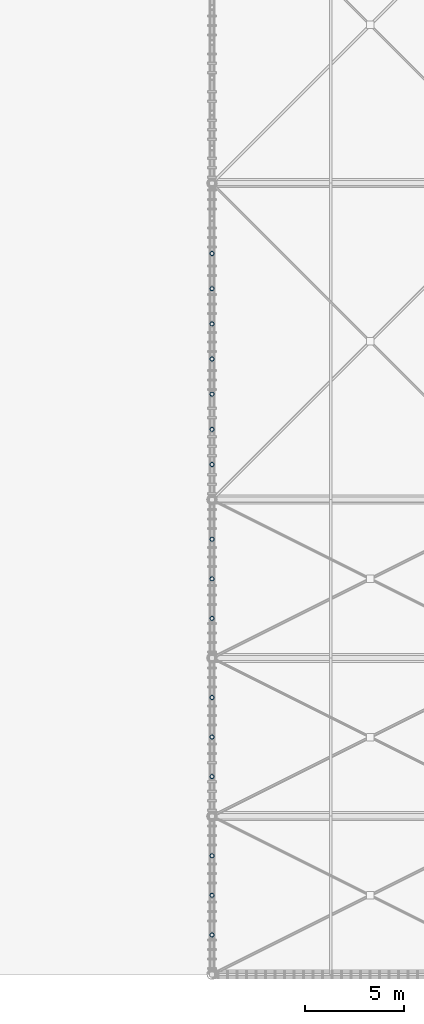
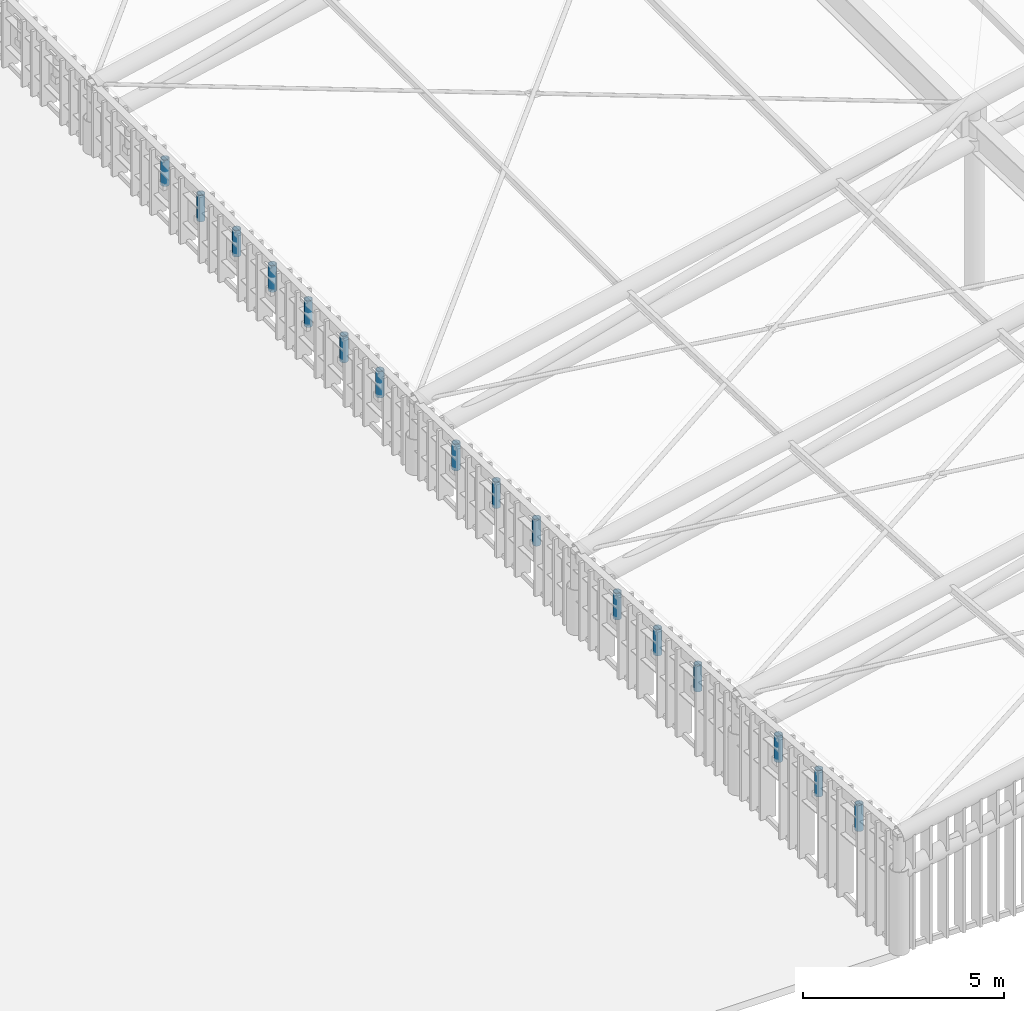
# One storey, part 14 of 25: 16 members.
"""IFC4 building model written with IfcOpenShell, lengths in metres."""

from ifc_helpers import new_model, si_unit, direction, frame, origin, origin_2d, place, context, subcontext, project, spatial, hollow_circle, extrude, material, material_profile, profile_set, type_object, element, save


model = new_model("IFC4")

# Units and contexts
model_context = context("Model", 3, precision=1e-05, world=origin(), true_north=direction((0.0, 1.0)))
body_context = subcontext(model_context, "Body", "Model", "MODEL_VIEW")
ifc_project = project(units=[si_unit("LENGTHUNIT", "METRE"), si_unit("AREAUNIT", "SQUARE_METRE"), si_unit("VOLUMEUNIT", "CUBIC_METRE"), si_unit("PLANEANGLEUNIT", "RADIAN"), si_unit("MASSUNIT", "GRAM", prefix="KILO")], contexts=[model_context])

# Site, building, storey
site_placement = place(None, origin())
site = spatial("IfcSite", under=ifc_project, at=site_placement, CompositionType="ELEMENT")
building_placement = place(site_placement, origin())
building = spatial("IfcBuilding", under=site, at=building_placement, Name="Haebicheon Civic Stadium", CompositionType="ELEMENT")
storey_placement = place(building_placement, frame((0.0, 0.0, 31.199951171875)))
storey = spatial("IfcBuildingStorey", under=building, at=storey_placement, Name="RF", CompositionType="ELEMENT", Elevation=31.199951171875)

# Members
ifc_material = material(Name="White painted steel SM490", Category="steel")
ifc_material_profile = material_profile(ifc_material, hollow_circle(Radius=0.109619140625, WallThickness=0.01611328125, at=origin_2d()), Name="CHS-219.1x16.0")
ifc_profile_set = profile_set([ifc_material_profile], Name="White painted steel SM490")
member_type = type_object("IfcMemberType", Name="HRD-CHS219", PredefinedType="USERDEFINED", material=ifc_profile_set)
member_1_placement = place(storey_placement, frame((48.0, 50.0, 2.4521484375), z_axis=(0.0, 0.0, 1.0), x_axis=(1.0, 0.0, 0.0)))
element("IfcMember", 1, at=member_1_placement, inside=storey, type_object=member_type, material=ifc_profile_set, Name="CAN-WEST white vertical suspension rod 1.1", ObjectType="HANGER ROD", PredefinedType="USERDEFINED", context=body_context, shape_type="SweptSolid", body=[
    extrude(hollow_circle(Radius=0.109619140625, WallThickness=0.01611328125, at=origin_2d()), origin(), (0.0, 0.0, 1.0), 0.7998046875),
])
for number, where, z_axis, x_axis, name in (
    (2, (48.0, 52.0, 2.283935546875), (0.0, 0.0, 1.0), (1.0, 0.0, 0.0), "CAN-WEST white vertical suspension rod 1.2"),
    (3, (48.0, 54.0, 2.115966796875), (0.0, 0.0, 1.0), (1.0, 0.0, 0.0), "CAN-WEST white vertical suspension rod 1.3"),
):
    element("IfcMember", number, at=place(storey_placement, frame(where, z_axis=z_axis, x_axis=x_axis)), inside=storey, type_object=member_type, material=ifc_profile_set, Name=name, ObjectType="HANGER ROD", PredefinedType="USERDEFINED", context=body_context, shape_type="SweptSolid", body=[
        extrude(hollow_circle(Radius=0.109619140625, WallThickness=0.01611328125, at=origin_2d()), origin(), (0.0, 0.0, 1.0), 0.800048828125),
    ])
member_2_placement = place(storey_placement, frame((48.0, 58.0, 1.8271484375), z_axis=(0.0, 0.0, 1.0), x_axis=(1.0, 0.0, 0.0)))
element("IfcMember", 4, at=member_2_placement, inside=storey, type_object=member_type, material=ifc_profile_set, Name="CAN-WEST white vertical suspension rod 2.1", ObjectType="HANGER ROD", PredefinedType="USERDEFINED", context=body_context, shape_type="SweptSolid", body=[
    extrude(hollow_circle(Radius=0.109619140625, WallThickness=0.01611328125, at=origin_2d()), origin(), (0.0, 0.0, 1.0), 0.7998046875),
])
for number, where, z_axis, x_axis, name in (
    (5, (48.0, 60.0, 1.70703125), (0.0, 0.0, 1.0), (1.0, 0.0, 0.0), "CAN-WEST white vertical suspension rod 2.2"),
    (6, (48.0, 62.0, 1.5859375), (0.0, 0.0, 1.0), (1.0, 0.0, 0.0), "CAN-WEST white vertical suspension rod 2.3"),
    (7, (48.0, 66.0, 1.39404296875), (0.0, 0.0, 1.0), (1.0, 0.0, 0.0), "CAN-WEST white vertical suspension rod 3.1"),
    (8, (48.0, 68.0, 1.322021484375), (0.0, 0.0, 1.0), (1.0, 0.0, 0.0), "CAN-WEST white vertical suspension rod 3.2"),
    (9, (48.0, 70.0, 1.2490234375), (0.0, 0.0, 1.0), (1.0, 0.0, 0.0), "CAN-WEST white vertical suspension rod 3.3"),
    (10, (48.0, 73.778076171875, 1.166015625), (0.0, 0.0, 1.0), (1.0, 0.0, 0.0), "CAN-WEST white vertical suspension rod 4.1"),
    (11, (48.0, 75.555908203125, 1.156005859375), (0.0, 0.0, 1.0), (1.0, 0.0, 0.0), "CAN-WEST white vertical suspension rod 4.2"),
    (12, (48.0, 77.3330078125, 1.14501953125), (0.0, 0.0, 1.0), (1.0, 0.0, 0.0), "CAN-WEST white vertical suspension rod 4.3"),
    (13, (48.0, 79.111083984375, 1.134033203125), (0.0, 0.0, 1.0), (1.0, 0.0, 0.0), "CAN-WEST white vertical suspension rod 4.4"),
    (14, (48.0, 80.888916015625, 1.1240234375), (0.0, 0.0, 1.0), (1.0, 0.0, 0.0), "CAN-WEST white vertical suspension rod 4.5"),
    (15, (48.0, 82.6669921875, 1.113037109375), (0.0, 0.0, 1.0), (1.0, 0.0, 0.0), "CAN-WEST white vertical suspension rod 4.6"),
    (16, (48.0, 84.444091796875, 1.10205078125), (0.0, 0.0, 1.0), (1.0, 0.0, 0.0), "CAN-WEST white vertical suspension rod 4.7"),
):
    element("IfcMember", number, at=place(storey_placement, frame(where, z_axis=z_axis, x_axis=x_axis)), inside=storey, type_object=member_type, material=ifc_profile_set, Name=name, ObjectType="HANGER ROD", PredefinedType="USERDEFINED", context=body_context, shape_type="SweptSolid", body=[
        extrude(hollow_circle(Radius=0.109619140625, WallThickness=0.01611328125, at=origin_2d()), origin(), (0.0, 0.0, 1.0), 0.800048828125),
    ])

save(model, "model.ifc")
